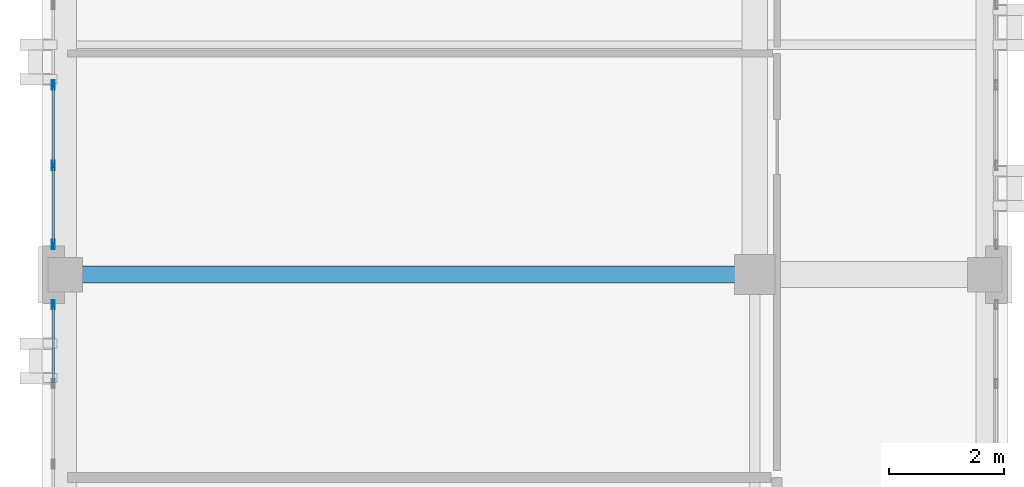
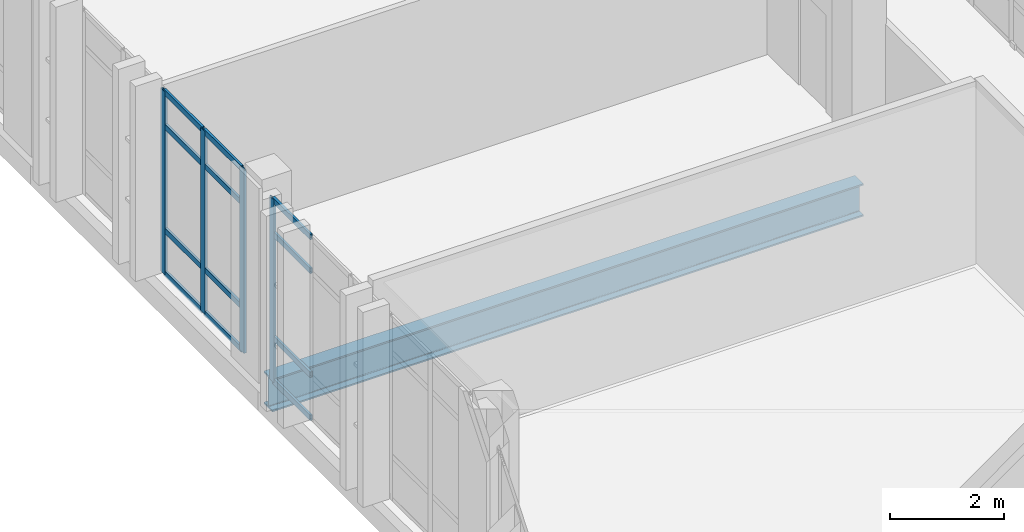
# One storey, part 12 of 90: 16 members, 1 beam, 2 elements without a shape of their own.
"""IFC4 building model written with IfcOpenShell, lengths in metres."""

import ifcopenshell
import ifcopenshell.guid

model = None  # the IFC model being written
_history = None  # IfcOwnerHistory: only IFC2X3 demands one
_inside = {}  # id of a spatial element -> (the spatial element, [elements in it])
_under = {}  # id of a project, library or spatial element -> (it, [spatial elements below it])
_declared = {}  # id of a project -> (the project, [libraries it declares])
_typed = {}  # id of a type object -> (the type object, [elements of that type])
_made_of = {}  # id of a material, layer set ... -> (it, [elements and type objects made of it])


def new_model(schema):
    """Start an empty IFC model of exactly this schema.

    Asked for "IFC4X3", IfcOpenShell would pick the latest addendum, in which some entities
    have other attributes; the version numbers below select the first issue.
    IFC2X3 requires an IfcOwnerHistory on every rooted entity: one is made here for all.
    """
    global model, _history
    if schema == "IFC4X3":
        model = ifcopenshell.file(schema_version=(4, 3, 0, 0))
    else:
        model = ifcopenshell.file(schema=schema)
    _inside.clear()
    _under.clear()
    _declared.clear()
    _typed.clear()
    _made_of.clear()
    _history = None
    if model.schema == "IFC2X3":
        org = make("IfcOrganization", Name="unknown")
        user = make(
            "IfcPersonAndOrganization",
            ThePerson=make("IfcPerson", FamilyName="unknown"),
            TheOrganization=org,
        )
        app = make(
            "IfcApplication",
            ApplicationDeveloper=org,
            Version="unknown",
            ApplicationFullName="unknown",
            ApplicationIdentifier="unknown",
        )
        _history = make(
            "IfcOwnerHistory",
            OwningUser=user,
            OwningApplication=app,
            ChangeAction="ADDED",
            CreationDate=0,
        )
    return model


def make(cls, **values):
    """One entity of the class cls with the attributes given. An attribute that is None is left unset."""
    return model.create_entity(
        cls, **{name: value for name, value in values.items() if value is not None}
    )


def rooted(cls, **values):
    """An entity with a GlobalId (a new one), such as an element, a storey or a relation."""
    return make(cls, GlobalId=ifcopenshell.guid.new(), OwnerHistory=_history, **values)


def si_unit(unit_type, name, prefix=None):
    """IfcSIUnit, for example si_unit("LENGTHUNIT", "METRE", prefix="MILLI")."""
    return make("IfcSIUnit", UnitType=unit_type, Prefix=prefix, Name=name)


def assignment(units):
    """IfcUnitAssignment: the units of a project."""
    return None if units is None else make("IfcUnitAssignment", Units=units)


def point(xyz):
    """IfcCartesianPoint."""
    return None if xyz is None else make("IfcCartesianPoint", Coordinates=xyz)


def direction(xyz):
    """IfcDirection."""
    return None if xyz is None else make("IfcDirection", DirectionRatios=xyz)


def frame(location, z_axis=None, x_axis=None):
    """IfcAxis2Placement3D, a coordinate frame: its origin and axes. An axis left out is left unset."""
    return make(
        "IfcAxis2Placement3D",
        Location=point(location),
        Axis=direction(z_axis),
        RefDirection=direction(x_axis),
    )


def frame_2d(location, x_axis=None):
    """IfcAxis2Placement2D, a coordinate frame in the plane: its origin and x axis."""
    return make(
        "IfcAxis2Placement2D", Location=point(location), RefDirection=direction(x_axis)
    )


def origin():
    """The frame at (0, 0, 0) with its axes left unset."""
    return frame((0.0, 0.0, 0.0))


def origin_2d():
    """The frame at (0, 0) in the plane with its x axis left unset."""
    return frame_2d((0.0, 0.0))


def place(relative_to, where):
    """IfcLocalPlacement: puts the frame where relative to a parent placement (None: the world)."""
    return make(
        "IfcLocalPlacement", PlacementRelTo=relative_to, RelativePlacement=where
    )


def context(
    kind, dimensions, precision=None, world=None, true_north=None, identifier=None
):
    """IfcGeometricRepresentationContext, for example the 3D "Model" context."""
    return make(
        "IfcGeometricRepresentationContext",
        ContextIdentifier=identifier,
        ContextType=kind,
        CoordinateSpaceDimension=dimensions,
        Precision=precision,
        WorldCoordinateSystem=world,
        TrueNorth=true_north,
    )


def subcontext(parent, identifier, kind, view, scale=None):
    """IfcGeometricRepresentationSubContext, for example "Body" below "Model"."""
    return make(
        "IfcGeometricRepresentationSubContext",
        ContextIdentifier=identifier,
        ContextType=kind,
        ParentContext=parent,
        TargetScale=scale,
        TargetView=view,
    )


def project(units=None, contexts=None):
    """IfcProject with its units and contexts."""
    return rooted(
        "IfcProject",
        Name="project",
        RepresentationContexts=contexts,
        UnitsInContext=assignment(units),
    )


def spatial(cls, under=None, at=None, **own):
    """A site, building, storey or space (cls), placed at a placement, below another one or the project."""
    s = rooted(cls, ObjectPlacement=at, **own)
    if under is not None:
        _under.setdefault(under.id(), (under, []))[1].append(s)
    return s


def profile(cls, at=None, kind="AREA", **sizes):
    """A parametric profile (cls). Its sizes go by their IFC names, for example OverallWidth=200.0."""
    return make(cls, ProfileType=kind, Position=at, **sizes)


def hollow_rectangle(**sizes):
    """IfcRectangleHollowProfileDef."""
    return profile("IfcRectangleHollowProfileDef", **sizes)


def i_section(**sizes):
    """IfcIShapeProfileDef."""
    return profile("IfcIShapeProfileDef", **sizes)


def extrude(swept, where, along, depth):
    """IfcExtrudedAreaSolid: the profile swept, set in the frame where, extruded along a direction by depth."""
    return make(
        "IfcExtrudedAreaSolid",
        SweptArea=swept,
        Position=where,
        ExtrudedDirection=direction(along),
        Depth=depth,
    )


def shape(context_of_items, identifier, shape_type, items):
    """IfcShapeRepresentation: the items that make up one representation, for example the "Body"."""
    return make(
        "IfcShapeRepresentation",
        ContextOfItems=context_of_items,
        RepresentationIdentifier=identifier,
        RepresentationType=shape_type,
        Items=items,
    )


def material(Name=None, Category=None):
    """IfcMaterial."""
    return make("IfcMaterial", Name=Name, Category=Category)


def layer(
    of_material, thickness, ventilated=None, Name=None, Category=None, Priority=None
):
    """IfcMaterialLayer: one layer of a wall or slab, of a material (None: an air gap)."""
    return make(
        "IfcMaterialLayer",
        Material=of_material,
        LayerThickness=thickness,
        IsVentilated=ventilated,
        Name=Name,
        Category=Category,
        Priority=Priority,
    )


def layer_set(layers, Name=None):
    """IfcMaterialLayerSet."""
    return make("IfcMaterialLayerSet", MaterialLayers=layers, LayerSetName=Name)


def material_profile(
    of_material, cross_section, Name=None, Category=None, Priority=None
):
    """IfcMaterialProfile: a cross section and its material."""
    return make(
        "IfcMaterialProfile",
        Name=Name,
        Material=of_material,
        Profile=cross_section,
        Priority=Priority,
        Category=Category,
    )


def profile_set(profiles, Name=None, composite=None):
    """IfcMaterialProfileSet."""
    return make(
        "IfcMaterialProfileSet",
        Name=Name,
        MaterialProfiles=profiles,
        CompositeProfile=composite,
    )


def made_of(thing, what):
    """Note that an element or type object is made of a material, layer set ...; save() writes the relation."""
    if what is not None:
        _made_of.setdefault(what.id(), (what, []))[1].append(thing)
    return thing


def type_object(cls, material=None, **own):
    """A type object (cls), such as IfcWallType, which elements share."""
    return made_of(rooted(cls, **own), material)


def element(
    cls,
    number,
    at=None,
    inside=None,
    cuts=None,
    type_object=None,
    material=None,
    context=None,
    identifier="Body",
    shape_type=None,
    held_by="IfcProductDefinitionShape",
    body=None,
    shapes=None,
    **own,
):
    """One element of the class cls, such as IfcWall. Its Tag is "e" and its number.

    at: its placement. inside: the storey or other place that contains it. cuts: it is an
    opening in that element (IfcRelVoidsElement). A single representation is given by context,
    identifier, shape_type and body (its items); several are given by shapes. held_by: the class
    of the entity that holds the representations. save() writes the other relations.
    """
    e = rooted(cls, Tag="e%d" % number, ObjectPlacement=at, **own)
    if body is not None:
        shapes = [shape(context, identifier, shape_type, body)]
    if shapes is not None:
        e.Representation = make(held_by, Representations=shapes)
    if inside is not None:
        _inside.setdefault(inside.id(), (inside, []))[1].append(e)
    if cuts is not None:
        rooted(
            "IfcRelVoidsElement", RelatingBuildingElement=cuts, RelatedOpeningElement=e
        )
    if type_object is not None:
        _typed.setdefault(type_object.id(), (type_object, []))[1].append(e)
    return made_of(e, material)


def aggregate(whole, parts):
    """IfcRelAggregates: a whole, such as a stair, and the parts it consists of."""
    return rooted("IfcRelAggregates", RelatingObject=whole, RelatedObjects=parts)


def save(model, path):
    """Write the relations noted so far, then the file.

    IfcRelAggregates (storeys below a building ...), IfcRelContainedInSpatialStructure (elements
    in a storey), IfcRelDefinesByType, IfcRelAssociatesMaterial and IfcRelDeclares: one each for
    every whole, place, type object, material and project.
    """
    for whole, parts in _under.values():
        aggregate(whole, parts)
    for where, things in _inside.values():
        rooted(
            "IfcRelContainedInSpatialStructure",
            RelatedElements=things,
            RelatingStructure=where,
        )
    for kind, things in _typed.values():
        rooted("IfcRelDefinesByType", RelatedObjects=things, RelatingType=kind)
    for what, things in _made_of.values():
        rooted("IfcRelAssociatesMaterial", RelatedObjects=things, RelatingMaterial=what)
    for by, libraries in _declared.values():
        rooted("IfcRelDeclares", RelatingContext=by, RelatedDefinitions=libraries)
    model.write(path)


model = new_model("IFC4")

# Units and contexts
model_context = context("Model", 3, precision=1e-05, world=origin(), true_north=direction((0.0, 1.0)))
body_context = subcontext(model_context, "Body", "Model", "MODEL_VIEW")
ifc_project = project(units=[si_unit("LENGTHUNIT", "METRE"), si_unit("AREAUNIT", "SQUARE_METRE"), si_unit("VOLUMEUNIT", "CUBIC_METRE"), si_unit("PLANEANGLEUNIT", "RADIAN"), si_unit("MASSUNIT", "GRAM", prefix="KILO")], contexts=[model_context])

# Site, building, storey
site_placement = place(None, origin())
site = spatial("IfcSite", under=ifc_project, at=site_placement, CompositionType="ELEMENT")
building_placement = place(site_placement, origin())
building = spatial("IfcBuilding", under=site, at=building_placement, Name="Qalavern Law Courts", CompositionType="ELEMENT")
storey_placement = place(building_placement, frame((0.0, 0.0, 22.800048828125)))
storey = spatial("IfcBuildingStorey", under=building, at=storey_placement, Name="L05", CompositionType="ELEMENT", Elevation=22.800048828125)

# Curtain wall, members
ifc_material_1 = material(Name="Anodised aluminium and insulated glazing", Category="aluminium")
ifc_layer = layer(ifc_material_1, 0.159912109375)
ifc_layer_set = layer_set([ifc_layer], Name="Anodised aluminium and insulated glazing")
curtain_wall_type = type_object("IfcCurtainWallType", Name="ENV-CW-CHAMB", PredefinedType="USERDEFINED", material=ifc_layer_set)
curtain_wall_1_placement = place(storey_placement, origin())
curtain_wall_1 = element("IfcCurtainWall", 1, at=curtain_wall_1_placement, inside=storey, type_object=curtain_wall_type, Name="V3 unitised curtain wall L05 west 4", ObjectType="UNITISED CURTAIN WALL", PredefinedType="USERDEFINED")
ifc_material_2 = material(Name="Anodised aluminium", Category="aluminium")
ifc_material_profile_1 = material_profile(ifc_material_2, hollow_rectangle(XDim=0.048095703125, YDim=0.159912109375, WallThickness=0.00390625, at=origin_2d()), Name="ALU MULLION 48x160")
ifc_profile_set_1 = profile_set([ifc_material_profile_1], Name="Anodised aluminium")
member_type_1 = type_object("IfcMemberType", Name="ENV-CWM-48x160", PredefinedType="MULLION", material=ifc_profile_set_1)
member_1_placement = place(storey_placement, frame((2.1923828125, 68.699951171875, 0.0), z_axis=(0.0, 0.0, 1.0), x_axis=(1.0, 0.0, 0.0)))
member_1 = element("IfcMember", 2, at=member_1_placement, type_object=member_type_1, Name="CW-04 mullion 4", PredefinedType="MULLION", context=body_context, shape_type="SweptSolid", body=[
    extrude(hollow_rectangle(XDim=0.048095703125, YDim=0.159912109375, WallThickness=0.00390625, at=origin_2d()), origin(), (0.0, 0.0, 1.0), 3.929931640625),
])
member_2_placement = place(storey_placement, frame((2.1923828125, 67.300048828125, 0.0), z_axis=(0.0, 0.0, 1.0), x_axis=(1.0, 0.0, 0.0)))
member_2 = element("IfcMember", 3, at=member_2_placement, type_object=member_type_1, Name="CW-04 mullion 5", PredefinedType="MULLION", context=body_context, shape_type="SweptSolid", body=[
    extrude(hollow_rectangle(XDim=0.048095703125, YDim=0.159912109375, WallThickness=0.00390625, at=origin_2d()), origin(), (0.0, 0.0, 1.0), 3.929931640625),
])
member_3_placement = place(storey_placement, frame((2.1923828125, 65.924072265625, 0.0), z_axis=(0.0, 0.0, 1.0), x_axis=(1.0, 0.0, 0.0)))
member_3 = element("IfcMember", 4, at=member_3_placement, type_object=member_type_1, Name="CW-04 mullion 6", PredefinedType="MULLION", context=body_context, shape_type="SweptSolid", body=[
    extrude(hollow_rectangle(XDim=0.048095703125, YDim=0.159912109375, WallThickness=0.00390625, at=origin_2d()), origin(), (0.0, 0.0, 1.0), 3.929931640625),
])

# Curtain wall, member
curtain_wall_2_placement = place(storey_placement, origin())
curtain_wall_2 = element("IfcCurtainWall", 5, at=curtain_wall_2_placement, inside=storey, type_object=curtain_wall_type, Name="V3 unitised curtain wall L05 west 5", ObjectType="UNITISED CURTAIN WALL", PredefinedType="USERDEFINED")
member_4_placement = place(storey_placement, frame((2.1923828125, 64.8759765625, 0.0), z_axis=(0.0, 0.0, 1.0), x_axis=(1.0, 0.0, 0.0)))
member_4 = element("IfcMember", 6, at=member_4_placement, type_object=member_type_1, Name="CW-04 mullion 1", PredefinedType="MULLION", context=body_context, shape_type="SweptSolid", body=[
    extrude(hollow_rectangle(XDim=0.048095703125, YDim=0.159912109375, WallThickness=0.00390625, at=origin_2d()), origin(), (0.0, 0.0, 1.0), 3.929931640625),
])

# Member
ifc_material_profile_2 = material_profile(ifc_material_2, hollow_rectangle(XDim=0.048095703125, YDim=0.1201171875, WallThickness=0.00390625, at=origin_2d()), Name="ALU TRANSOM 48x120")
ifc_profile_set_2 = profile_set([ifc_material_profile_2], Name="Anodised aluminium")
member_type_2 = type_object("IfcMemberType", Name="ENV-CWT-48x120", PredefinedType="USERDEFINED", material=ifc_profile_set_2)
member_5_placement = place(storey_placement, frame((2.1923828125, 68.676025390625, 0.02392578125), z_axis=(0.0, -1.0, 0.0), x_axis=(1.0, 0.0, 0.0)))
member_5 = element("IfcMember", 7, at=member_5_placement, type_object=member_type_2, Name="CW-04 transom 4.1", ObjectType="TRANSOM", PredefinedType="USERDEFINED", context=body_context, shape_type="SweptSolid", body=[
    extrude(hollow_rectangle(XDim=0.048095703125, YDim=0.1201171875, WallThickness=0.00390625, at=origin_2d()), origin(), (0.0, 0.0, 1.0), 1.35205078125),
])

member_6_placement = place(storey_placement, frame((2.1923828125, 68.676025390625, 0.949951171875), z_axis=(0.0, -1.0, 0.0), x_axis=(1.0, 0.0, 0.0)))
member_6 = element("IfcMember", 8, at=member_6_placement, type_object=member_type_2, Name="CW-04 transom 4.2", ObjectType="TRANSOM", PredefinedType="USERDEFINED", context=body_context, shape_type="SweptSolid", body=[
    extrude(hollow_rectangle(XDim=0.048095703125, YDim=0.1201171875, WallThickness=0.00390625, at=origin_2d()), origin(), (0.0, 0.0, 1.0), 1.35205078125),
])

member_7_placement = place(storey_placement, frame((2.1923828125, 68.676025390625, 3.179931640625), z_axis=(0.0, -1.0, 0.0), x_axis=(1.0, 0.0, 0.0)))
member_7 = element("IfcMember", 9, at=member_7_placement, type_object=member_type_2, Name="CW-04 transom 4.3", ObjectType="TRANSOM", PredefinedType="USERDEFINED", context=body_context, shape_type="SweptSolid", body=[
    extrude(hollow_rectangle(XDim=0.048095703125, YDim=0.1201171875, WallThickness=0.00390625, at=origin_2d()), origin(), (0.0, 0.0, 1.0), 1.35205078125),
])

member_8_placement = place(storey_placement, frame((2.1923828125, 68.676025390625, 3.906005859375), z_axis=(0.0, -1.0, 0.0), x_axis=(1.0, 0.0, 0.0)))
member_8 = element("IfcMember", 10, at=member_8_placement, type_object=member_type_2, Name="CW-04 transom 4.4", ObjectType="TRANSOM", PredefinedType="USERDEFINED", context=body_context, shape_type="SweptSolid", body=[
    extrude(hollow_rectangle(XDim=0.048095703125, YDim=0.1201171875, WallThickness=0.00390625, at=origin_2d()), origin(), (0.0, 0.0, 1.0), 1.35205078125),
])

member_9_placement = place(storey_placement, frame((2.1923828125, 67.27587890625, 0.02392578125), z_axis=(0.0, -1.0, 0.0), x_axis=(1.0, 0.0, 0.0)))
member_9 = element("IfcMember", 11, at=member_9_placement, type_object=member_type_2, Name="CW-04 transom 5.1", ObjectType="TRANSOM", PredefinedType="USERDEFINED", context=body_context, shape_type="SweptSolid", body=[
    extrude(hollow_rectangle(XDim=0.048095703125, YDim=0.1201171875, WallThickness=0.00390625, at=origin_2d()), origin(), (0.0, 0.0, 1.0), 1.327880859375),
])

member_10_placement = place(storey_placement, frame((2.1923828125, 67.27587890625, 0.949951171875), z_axis=(0.0, -1.0, 0.0), x_axis=(1.0, 0.0, 0.0)))
member_10 = element("IfcMember", 12, at=member_10_placement, type_object=member_type_2, Name="CW-04 transom 5.2", ObjectType="TRANSOM", PredefinedType="USERDEFINED", context=body_context, shape_type="SweptSolid", body=[
    extrude(hollow_rectangle(XDim=0.048095703125, YDim=0.1201171875, WallThickness=0.00390625, at=origin_2d()), origin(), (0.0, 0.0, 1.0), 1.327880859375),
])

member_11_placement = place(storey_placement, frame((2.1923828125, 67.27587890625, 3.179931640625), z_axis=(0.0, -1.0, 0.0), x_axis=(1.0, 0.0, 0.0)))
member_11 = element("IfcMember", 13, at=member_11_placement, type_object=member_type_2, Name="CW-04 transom 5.3", ObjectType="TRANSOM", PredefinedType="USERDEFINED", context=body_context, shape_type="SweptSolid", body=[
    extrude(hollow_rectangle(XDim=0.048095703125, YDim=0.1201171875, WallThickness=0.00390625, at=origin_2d()), origin(), (0.0, 0.0, 1.0), 1.327880859375),
])

member_12_placement = place(storey_placement, frame((2.1923828125, 67.27587890625, 3.906005859375), z_axis=(0.0, -1.0, 0.0), x_axis=(1.0, 0.0, 0.0)))
member_12 = element("IfcMember", 14, at=member_12_placement, type_object=member_type_2, Name="CW-04 transom 5.4", ObjectType="TRANSOM", PredefinedType="USERDEFINED", context=body_context, shape_type="SweptSolid", body=[
    extrude(hollow_rectangle(XDim=0.048095703125, YDim=0.1201171875, WallThickness=0.00390625, at=origin_2d()), origin(), (0.0, 0.0, 1.0), 1.327880859375),
])

aggregate(curtain_wall_1, [member_1, member_2, member_3, member_5, member_6, member_7, member_8, member_9, member_10, member_11, member_12])

member_13_placement = place(storey_placement, frame((2.1923828125, 64.85205078125, 0.02392578125), z_axis=(0.0, -1.0, 0.0), x_axis=(1.0, 0.0, 0.0)))
member_13 = element("IfcMember", 15, at=member_13_placement, type_object=member_type_2, Name="CW-04 transom 1.1", ObjectType="TRANSOM", PredefinedType="USERDEFINED", context=body_context, shape_type="SweptSolid", body=[
    extrude(hollow_rectangle(XDim=0.048095703125, YDim=0.1201171875, WallThickness=0.00390625, at=origin_2d()), origin(), (0.0, 0.0, 1.0), 1.328125),
])

member_14_placement = place(storey_placement, frame((2.1923828125, 64.85205078125, 0.949951171875), z_axis=(0.0, -1.0, 0.0), x_axis=(1.0, 0.0, 0.0)))
member_14 = element("IfcMember", 16, at=member_14_placement, type_object=member_type_2, Name="CW-04 transom 1.2", ObjectType="TRANSOM", PredefinedType="USERDEFINED", context=body_context, shape_type="SweptSolid", body=[
    extrude(hollow_rectangle(XDim=0.048095703125, YDim=0.1201171875, WallThickness=0.00390625, at=origin_2d()), origin(), (0.0, 0.0, 1.0), 1.328125),
])

member_15_placement = place(storey_placement, frame((2.1923828125, 64.85205078125, 3.179931640625), z_axis=(0.0, -1.0, 0.0), x_axis=(1.0, 0.0, 0.0)))
member_15 = element("IfcMember", 17, at=member_15_placement, type_object=member_type_2, Name="CW-04 transom 1.3", ObjectType="TRANSOM", PredefinedType="USERDEFINED", context=body_context, shape_type="SweptSolid", body=[
    extrude(hollow_rectangle(XDim=0.048095703125, YDim=0.1201171875, WallThickness=0.00390625, at=origin_2d()), origin(), (0.0, 0.0, 1.0), 1.328125),
])

member_16_placement = place(storey_placement, frame((2.1923828125, 64.85205078125, 3.906005859375), z_axis=(0.0, -1.0, 0.0), x_axis=(1.0, 0.0, 0.0)))
member_16 = element("IfcMember", 18, at=member_16_placement, type_object=member_type_2, Name="CW-04 transom 1.4", ObjectType="TRANSOM", PredefinedType="USERDEFINED", context=body_context, shape_type="SweptSolid", body=[
    extrude(hollow_rectangle(XDim=0.048095703125, YDim=0.1201171875, WallThickness=0.00390625, at=origin_2d()), origin(), (0.0, 0.0, 1.0), 1.328125),
])

aggregate(curtain_wall_2, [member_4, member_13, member_14, member_15, member_16])

# Beam
ifc_material_3 = material(Name="Steel S355", Category="steel")
ifc_material_profile_3 = material_profile(ifc_material_3, i_section(OverallWidth=0.300048828125, OverallDepth=0.699951171875, WebThickness=0.01708984375, FlangeThickness=0.031982421875, FilletRadius=0.027099609375, at=origin_2d()), Name="HEB 700")
ifc_profile_set_3 = profile_set([ifc_material_profile_3], Name="Steel S355")
beam_type = type_object("IfcBeamType", Name="STR-BM-HEB700", PredefinedType="BEAM", material=ifc_profile_set_3)
beam_placement = place(storey_placement, frame((2.39990234375, 65.39990234375, -0.625), z_axis=(1.0, 0.0, 0.0), x_axis=(0.0, 1.0, 0.0)))
element("IfcBeam", 19, at=beam_placement, inside=storey, type_object=beam_type, Name="V3 X-beam 4-1 L05", PredefinedType="BEAM", context=body_context, shape_type="SweptSolid", body=[
    extrude(i_section(OverallWidth=0.300048828125, OverallDepth=0.699951171875, WebThickness=0.01708984375, FlangeThickness=0.031982421875, FilletRadius=0.027099609375, at=origin_2d()), origin(), (0.0, 0.0, 1.0), 12.0),
])

save(model, "model.ifc")
